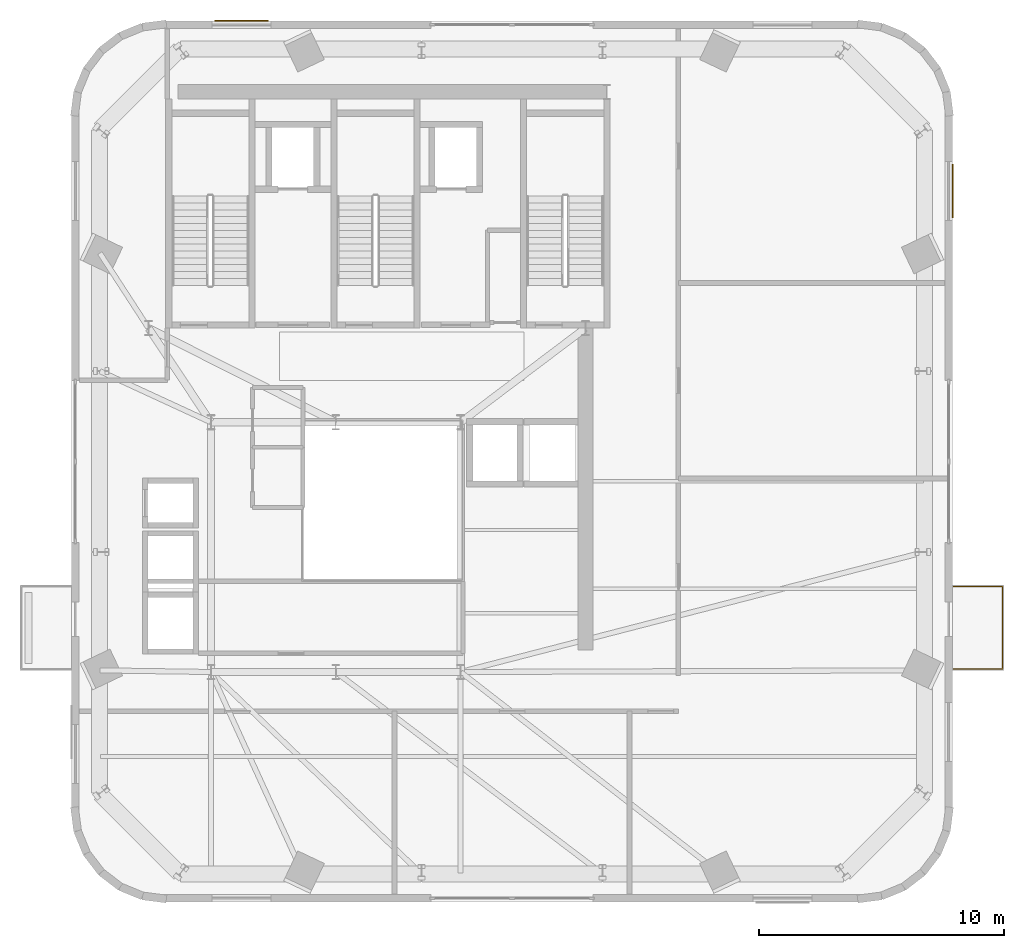
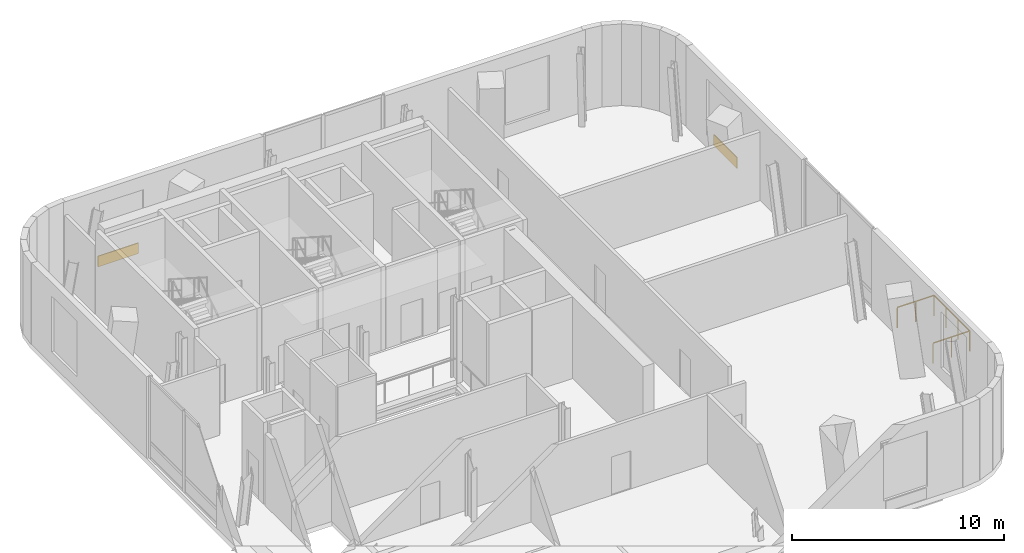
# One storey, part 11 of 11: 2 coverings, 1 railing.
"""IFC4 building model written with IfcOpenShell, lengths in metres."""

from ifc_helpers import new_model, si_unit, direction, frame, origin, origin_2d, place, context, subcontext, project, spatial, rectangle, extrude, source, transform, mapped, material, layer, layer_set, type_object, element, save


model = new_model("IFC4")

# Units and contexts
model_context = context("Model", 3, precision=1e-05, world=origin(), true_north=direction((0.0, 1.0)))
body_context = subcontext(model_context, "Body", "Model", "MODEL_VIEW")
ifc_project = project(units=[si_unit("LENGTHUNIT", "METRE"), si_unit("AREAUNIT", "SQUARE_METRE"), si_unit("VOLUMEUNIT", "CUBIC_METRE"), si_unit("PLANEANGLEUNIT", "RADIAN"), si_unit("MASSUNIT", "GRAM", prefix="KILO")], contexts=[model_context])

# Site, building, storey
site_placement = place(None, origin())
site = spatial("IfcSite", under=ifc_project, at=site_placement, CompositionType="ELEMENT")
building_placement = place(site_placement, origin())
building = spatial("IfcBuilding", under=site, at=building_placement, Name="Vardaveli Station Tower", CompositionType="ELEMENT")
storey_placement = place(building_placement, frame((0.0, 0.0, 296.14990234375)))
storey = spatial("IfcBuildingStorey", under=building, at=storey_placement, Name="L75", CompositionType="ELEMENT", Elevation=296.14990234375)

# Coverings
ifc_material_1 = material(Name="Ventilated honed travertine stone cladding", Category="masonry")
ifc_layer = layer(ifc_material_1, 0.044921875, Name="Ventilated honed travertine stone cladding")
ifc_layer_set = layer_set([ifc_layer], Name="Ventilated honed travertine stone cladding")
covering_type = type_object("IfcCoveringType", Name="COV-CLAD-TR45", PredefinedType="CLADDING", material=ifc_layer_set)
shared_shape_1 = source(origin(), body_context, "Body", "SweptSolid", [
    extrude(rectangle(XDim=2.199951171875, YDim=0.044921875, at=origin_2d()), origin(), (0.0, 0.0, 1.0), 0.6201171875),
])
for number, where, z_axis, x_axis, name in (
    (1, (32.448974609375, 43.214599609375, 0.070068359375), (0.0, 0.0, 1.0), (1.0, 0.0, 0.0), "CLD-TR-L75-N"),
    (2, (61.514404296875, 36.2509765625, 0.070068359375), (0.0, 0.0, 1.0), (0.0, 1.0, 0.0), "CLD-TR-L75-E"),
):
    element("IfcCovering", number, at=place(storey_placement, frame(where, z_axis=z_axis, x_axis=x_axis)), inside=storey, type_object=covering_type, Name=name, PredefinedType="CLADDING", context=body_context, shape_type="MappedRepresentation", body=[
        mapped(shared_shape_1, transform((0.0, 0.0, 0.0), scale=1.0)),
    ])

# Railing
ifc_material_2 = material(Name="Laminated glass and stainless steel balustrade", Category="steel")
railing_type = type_object("IfcRailingType", Name="RL-BAL-1200", PredefinedType="BALUSTRADE", material=ifc_material_2)
shared_shape_2 = source(origin(), body_context, "Body", "SweptSolid", [
    extrude(rectangle(XDim=0.048095703125, YDim=0.048095703125, at=origin_2d()), frame((0.0, 0.0, 1.17578125), z_axis=(1.0, 0.0, 0.0), x_axis=(0.0, 1.0, 0.0)), (0.0, 0.0, 1.0), 2.0),
    extrude(rectangle(XDim=0.048095703125, YDim=0.048095703125, at=origin_2d()), frame((2.0, 0.0, 1.17578125), z_axis=(0.0, 1.0, 0.0), x_axis=(-1.0, 0.0, 0.0)), (0.0, 0.0, 1.0), 3.3798828125),
    extrude(rectangle(XDim=0.048095703125, YDim=0.048095703125, at=origin_2d()), frame((2.0, 3.3798828125, 1.17578125), z_axis=(-1.0, 0.0, 0.0), x_axis=(0.0, -1.0, 0.0)), (0.0, 0.0, 1.0), 2.0),
    extrude(rectangle(XDim=0.0419921875, YDim=0.0419921875, at=origin_2d()), origin(), (0.0, 0.0, 1.0), 1.15185546875),
    extrude(rectangle(XDim=0.0419921875, YDim=0.0419921875, at=origin_2d()), frame((1.0, 0.0, 0.0)), (0.0, 0.0, 1.0), 1.15185546875),
    extrude(rectangle(XDim=0.0419921875, YDim=0.0419921875, at=origin_2d()), frame((2.0, 0.0, 0.0)), (0.0, 0.0, 1.0), 1.15185546875),
    extrude(rectangle(XDim=0.0419921875, YDim=0.0419921875, at=origin_2d()), frame((2.0, 1.126708984375, 0.0)), (0.0, 0.0, 1.0), 1.15185546875),
    extrude(rectangle(XDim=0.0419921875, YDim=0.0419921875, at=origin_2d()), frame((2.0, 2.253173828125, 0.0)), (0.0, 0.0, 1.0), 1.15185546875),
    extrude(rectangle(XDim=0.0419921875, YDim=0.0419921875, at=origin_2d()), frame((2.0, 3.3798828125, 0.0)), (0.0, 0.0, 1.0), 1.15185546875),
    extrude(rectangle(XDim=0.0419921875, YDim=0.0419921875, at=origin_2d()), frame((1.0, 3.3798828125, 0.0)), (0.0, 0.0, 1.0), 1.15185546875),
    extrude(rectangle(XDim=0.0419921875, YDim=0.0419921875, at=origin_2d()), frame((0.0, 3.3798828125, 0.0)), (0.0, 0.0, 1.0), 1.15185546875),
])
railing_placement = place(storey_placement, frame((61.5400390625, 16.717529296875, 0.0)))
element("IfcRailing", 3, at=railing_placement, inside=storey, type_object=railing_type, Name="RL-LOG-L75-02", PredefinedType="BALUSTRADE", context=body_context, shape_type="MappedRepresentation", body=[
    mapped(shared_shape_2, transform((0.0, 0.0, 0.0), scale=1.0)),
])

save(model, "model.ifc")
